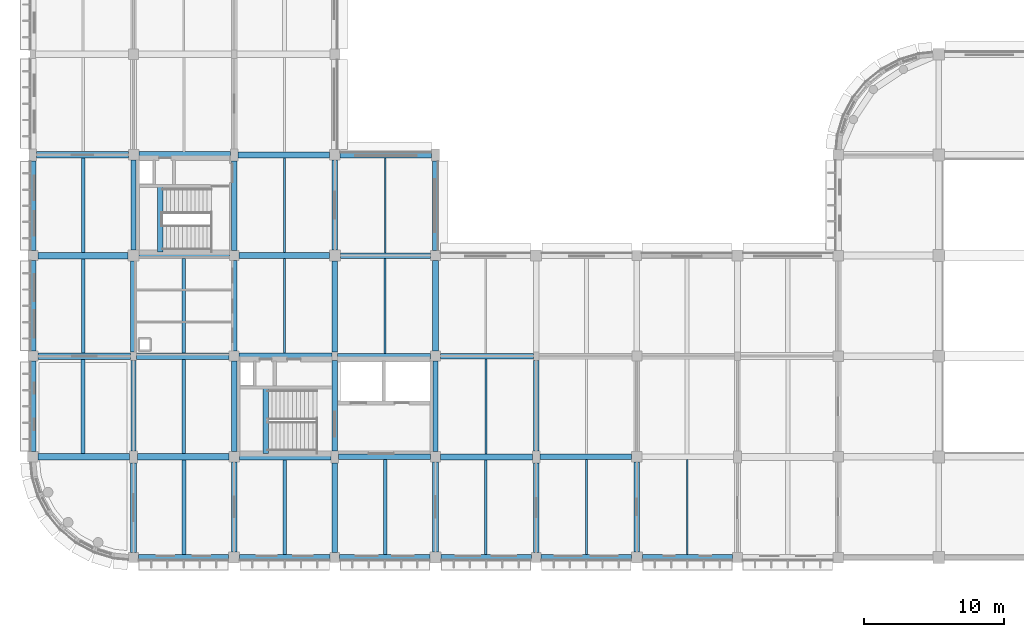
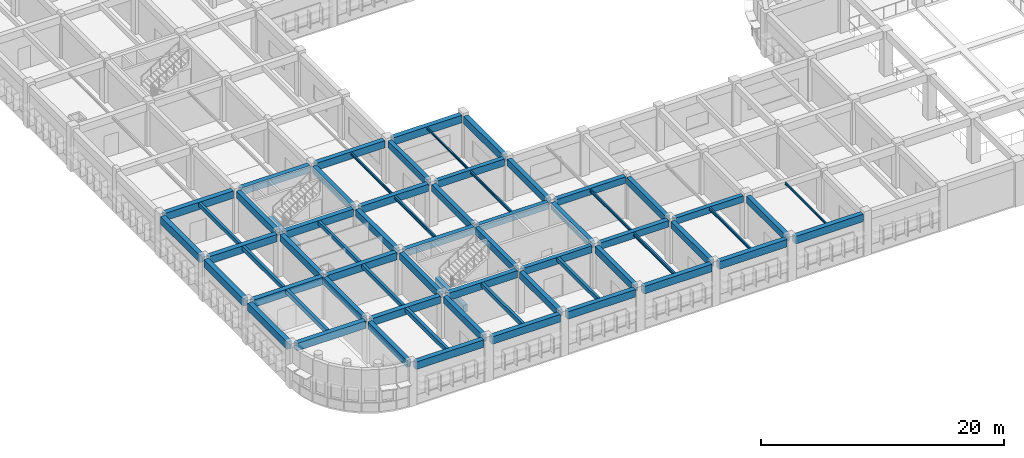
# One storey, part 3 of 61: 65 beams.
"""IFC4 building model written with IfcOpenShell, lengths in metres."""

from ifc_helpers import new_model, si_unit, direction, frame, origin, origin_2d, place, context, subcontext, project, spatial, rectangle, i_section, extrude, material, material_profile, profile_set, type_object, element, save


model = new_model("IFC4")

# Units and contexts
model_context = context("Model", 3, precision=1e-05, world=origin(), true_north=direction((0.0, 1.0)))
body_context = subcontext(model_context, "Body", "Model", "MODEL_VIEW")
ifc_project = project(units=[si_unit("LENGTHUNIT", "METRE"), si_unit("AREAUNIT", "SQUARE_METRE"), si_unit("VOLUMEUNIT", "CUBIC_METRE"), si_unit("PLANEANGLEUNIT", "RADIAN"), si_unit("MASSUNIT", "GRAM", prefix="KILO")], contexts=[model_context])

# Site, building, storey
site_placement = place(None, origin())
site = spatial("IfcSite", under=ifc_project, at=site_placement, CompositionType="ELEMENT")
building_placement = place(site_placement, origin())
building = spatial("IfcBuilding", under=site, at=building_placement, Name="Thalmaran Polytechnic", CompositionType="ELEMENT")
storey_placement = place(building_placement, frame((0.0, 0.0, 9.89990234375)))
storey = spatial("IfcBuildingStorey", under=building, at=storey_placement, Name="L02", CompositionType="ELEMENT", Elevation=9.89990234375)

# Beams
ifc_material_1 = material(Name="Concrete C40/50", Category="concrete")
ifc_material_profile_1 = material_profile(ifc_material_1, rectangle(XDim=0.449951171875, YDim=0.72509765625, at=origin_2d()), Name="RC 450x725")
ifc_profile_set_1 = profile_set([ifc_material_profile_1], Name="Concrete C40/50")
beam_type_1 = type_object("IfcBeamType", Name="BM-RC04", PredefinedType="BEAM", material=ifc_profile_set_1)
beam_1_placement = place(storey_placement, frame((7.47509765625, 7.199951171875, 3.862548828125), z_axis=(1.0, 0.0, 0.0), x_axis=(0.0, 1.0, 0.0)))
element("IfcBeam", 1, at=beam_1_placement, inside=storey, type_object=beam_type_1, Name="Grid Beam B04 L02 X(1,1)", PredefinedType="BEAM", context=body_context, shape_type="SweptSolid", body=[
    extrude(rectangle(XDim=0.449951171875, YDim=0.72509765625, at=origin_2d()), origin(), (0.0, 0.0, 1.0), 6.5498046875),
])
beam_2_placement = place(storey_placement, frame((7.39990234375, 14.39990234375, 3.862548828125), z_axis=(1.0, 0.0, 0.0), x_axis=(0.0, 1.0, 0.0)))
element("IfcBeam", 2, at=beam_2_placement, inside=storey, type_object=beam_type_1, Name="Grid Beam B04 L02 X(1,2)", PredefinedType="BEAM", context=body_context, shape_type="SweptSolid", body=[
    extrude(rectangle(XDim=0.449951171875, YDim=0.72509765625, at=origin_2d()), origin(), (0.0, 0.0, 1.0), 6.64013671875),
])
beam_3_placement = place(storey_placement, frame((7.590087890625, 21.60009765625, 3.862548828125), z_axis=(1.0, 0.0, 0.0), x_axis=(0.0, 1.0, 0.0)))
element("IfcBeam", 3, at=beam_3_placement, inside=storey, type_object=beam_type_1, Name="Grid Beam B04 L02 X(1,3)", PredefinedType="BEAM", context=body_context, shape_type="SweptSolid", body=[
    extrude(rectangle(XDim=0.449951171875, YDim=0.72509765625, at=origin_2d()), origin(), (0.0, 0.0, 1.0), 6.4599609375),
])
beam_4_placement = place(storey_placement, frame((7.574951171875, 28.800048828125, 3.862548828125), z_axis=(1.0, 0.0, 0.0), x_axis=(0.0, 1.0, 0.0)))
element("IfcBeam", 4, at=beam_4_placement, inside=storey, type_object=beam_type_1, Name="Grid Beam B04 L02 X(1,4)", PredefinedType="BEAM", context=body_context, shape_type="SweptSolid", body=[
    extrude(rectangle(XDim=0.449951171875, YDim=0.72509765625, at=origin_2d()), origin(), (0.0, 0.0, 1.0), 6.550048828125),
])
ifc_material_profile_2 = material_profile(ifc_material_1, rectangle(XDim=0.39990234375, YDim=0.699951171875, at=origin_2d()), Name="RC 400x700")
ifc_profile_set_2 = profile_set([ifc_material_profile_2], Name="Concrete C40/50")
beam_type_2 = type_object("IfcBeamType", Name="BM-RC05", PredefinedType="BEAM", material=ifc_profile_set_2)
beam_5_placement = place(storey_placement, frame((21.875, 7.199951171875, 3.875), z_axis=(1.0, 0.0, 0.0), x_axis=(0.0, 1.0, 0.0)))
element("IfcBeam", 5, at=beam_5_placement, inside=storey, type_object=beam_type_2, Name="Grid Beam B05 L02 X(3,1)", PredefinedType="BEAM", context=body_context, shape_type="SweptSolid", body=[
    extrude(rectangle(XDim=0.39990234375, YDim=0.699951171875, at=origin_2d()), origin(), (0.0, 0.0, 1.0), 6.550048828125),
])
beam_6_placement = place(storey_placement, frame((21.800048828125, 14.39990234375, 3.875), z_axis=(1.0, 0.0, 0.0), x_axis=(0.0, 1.0, 0.0)))
element("IfcBeam", 6, at=beam_6_placement, inside=storey, type_object=beam_type_2, Name="Grid Beam B05 L02 X(3,2)", PredefinedType="BEAM", context=body_context, shape_type="SweptSolid", body=[
    extrude(rectangle(XDim=0.39990234375, YDim=0.699951171875, at=origin_2d()), origin(), (0.0, 0.0, 1.0), 6.639892578125),
])
beam_7_placement = place(storey_placement, frame((21.989990234375, 21.60009765625, 3.875), z_axis=(1.0, 0.0, 0.0), x_axis=(0.0, 1.0, 0.0)))
element("IfcBeam", 7, at=beam_7_placement, inside=storey, type_object=beam_type_2, Name="Grid Beam B05 L02 X(3,3)", PredefinedType="BEAM", context=body_context, shape_type="SweptSolid", body=[
    extrude(rectangle(XDim=0.39990234375, YDim=0.699951171875, at=origin_2d()), origin(), (0.0, 0.0, 1.0), 6.4599609375),
])
ifc_material_profile_3 = material_profile(ifc_material_1, rectangle(XDim=0.39990234375, YDim=0.64990234375, at=origin_2d()), Name="RC 400x650")
ifc_profile_set_3 = profile_set([ifc_material_profile_3], Name="Concrete C40/50")
beam_type_3 = type_object("IfcBeamType", Name="BM-RC06", PredefinedType="BEAM", material=ifc_profile_set_3)
beam_8_placement = place(storey_placement, frame((36.27490234375, 7.199951171875, 3.89013671875), z_axis=(1.0, 0.0, 0.0), x_axis=(0.0, 1.0, 0.0)))
element("IfcBeam", 8, at=beam_8_placement, inside=storey, type_object=beam_type_3, Name="Grid Beam B06 L02 X(5,1)", PredefinedType="BEAM", context=body_context, shape_type="SweptSolid", body=[
    extrude(rectangle(XDim=0.39990234375, YDim=0.64990234375, at=origin_2d()), origin(), (0.0, 0.0, 1.0), 6.550048828125),
])
ifc_material_profile_4 = material_profile(ifc_material_1, rectangle(XDim=0.389892578125, YDim=0.68994140625, at=origin_2d()), Name="RC 390x690")
ifc_profile_set_4 = profile_set([ifc_material_profile_4], Name="Concrete C40/50")
beam_type_4 = type_object("IfcBeamType", Name="BM-RC09", PredefinedType="BEAM", material=ifc_profile_set_4)
beam_9_placement = place(storey_placement, frame((7.199951171875, 7.625, 3.880126953125), z_axis=(0.0, 1.0, 0.0), x_axis=(-1.0, 0.0, 0.0)))
element("IfcBeam", 9, at=beam_9_placement, inside=storey, type_object=beam_type_4, Name="Grid Beam B09 L02 Y(1,1)", PredefinedType="BEAM", context=body_context, shape_type="SweptSolid", body=[
    extrude(rectangle(XDim=0.389892578125, YDim=0.68994140625, at=origin_2d()), origin(), (0.0, 0.0, 1.0), 6.47509765625),
])
beam_10_placement = place(storey_placement, frame((14.39990234375, 7.574951171875, 3.880126953125), z_axis=(0.0, 1.0, 0.0), x_axis=(-1.0, 0.0, 0.0)))
element("IfcBeam", 10, at=beam_10_placement, inside=storey, type_object=beam_type_4, Name="Grid Beam B09 L02 Y(2,1)", PredefinedType="BEAM", context=body_context, shape_type="SweptSolid", body=[
    extrude(rectangle(XDim=0.389892578125, YDim=0.68994140625, at=origin_2d()), origin(), (0.0, 0.0, 1.0), 6.465087890625),
])
beam_11_placement = place(storey_placement, frame((21.60009765625, 7.625, 3.880126953125), z_axis=(0.0, 1.0, 0.0), x_axis=(-1.0, 0.0, 0.0)))
element("IfcBeam", 11, at=beam_11_placement, inside=storey, type_object=beam_type_4, Name="Grid Beam B09 L02 Y(3,1)", PredefinedType="BEAM", context=body_context, shape_type="SweptSolid", body=[
    extrude(rectangle(XDim=0.389892578125, YDim=0.68994140625, at=origin_2d()), origin(), (0.0, 0.0, 1.0), 6.47509765625),
])
beam_12_placement = place(storey_placement, frame((28.800048828125, 7.574951171875, 3.880126953125), z_axis=(0.0, 1.0, 0.0), x_axis=(-1.0, 0.0, 0.0)))
element("IfcBeam", 12, at=beam_12_placement, inside=storey, type_object=beam_type_4, Name="Grid Beam B09 L02 Y(4,1)", PredefinedType="BEAM", context=body_context, shape_type="SweptSolid", body=[
    extrude(rectangle(XDim=0.389892578125, YDim=0.68994140625, at=origin_2d()), origin(), (0.0, 0.0, 1.0), 6.465087890625),
])
beam_13_placement = place(storey_placement, frame((36.0, 7.625, 3.8701171875), z_axis=(0.0, 1.0, 0.0), x_axis=(-1.0, 0.0, 0.0)))
element("IfcBeam", 13, at=beam_13_placement, inside=storey, type_object=beam_type_4, Name="Grid Beam B09 L02 Y(5,1)", PredefinedType="BEAM", context=body_context, shape_type="SweptSolid", body=[
    extrude(rectangle(XDim=0.389892578125, YDim=0.68994140625, at=origin_2d()), origin(), (0.0, 0.0, 1.0), 6.47509765625),
])
ifc_material_profile_5 = material_profile(ifc_material_1, rectangle(XDim=0.389892578125, YDim=0.695068359375, at=origin_2d()), Name="RC 390x695")
ifc_profile_set_5 = profile_set([ifc_material_profile_5], Name="Concrete C40/50")
beam_type_5 = type_object("IfcBeamType", Name="BM-RC10", PredefinedType="BEAM", material=ifc_profile_set_5)
beam_14_placement = place(storey_placement, frame((7.199951171875, 21.989990234375, 3.877685546875), z_axis=(0.0, 1.0, 0.0), x_axis=(-1.0, 0.0, 0.0)))
element("IfcBeam", 14, at=beam_14_placement, inside=storey, type_object=beam_type_5, Name="Grid Beam B10 L02 Y(1,3)", PredefinedType="BEAM", context=body_context, shape_type="SweptSolid", body=[
    extrude(rectangle(XDim=0.389892578125, YDim=0.695068359375, at=origin_2d()), origin(), (0.0, 0.0, 1.0), 6.43505859375),
])
beam_15_placement = place(storey_placement, frame((14.39990234375, 21.949951171875, 3.877685546875), z_axis=(0.0, 1.0, 0.0), x_axis=(-1.0, 0.0, 0.0)))
element("IfcBeam", 15, at=beam_15_placement, inside=storey, type_object=beam_type_5, Name="Grid Beam B10 L02 Y(2,3)", PredefinedType="BEAM", context=body_context, shape_type="SweptSolid", body=[
    extrude(rectangle(XDim=0.389892578125, YDim=0.695068359375, at=origin_2d()), origin(), (0.0, 0.0, 1.0), 6.425048828125),
])
beam_16_placement = place(storey_placement, frame((21.60009765625, 21.989990234375, 3.877685546875), z_axis=(0.0, 1.0, 0.0), x_axis=(-1.0, 0.0, 0.0)))
element("IfcBeam", 16, at=beam_16_placement, inside=storey, type_object=beam_type_5, Name="Grid Beam B10 L02 Y(3,3)", PredefinedType="BEAM", context=body_context, shape_type="SweptSolid", body=[
    extrude(rectangle(XDim=0.389892578125, YDim=0.695068359375, at=origin_2d()), origin(), (0.0, 0.0, 1.0), 6.43505859375),
])
for number, where, z_axis, x_axis, name in (
    (17, (16.659912109375, 7.43994140625, 1.7900390625), (0.0, 1.0, 0.0), (-1.0, 0.0, 0.0), "ST1 L02 Half-Landing Trimmer Beam"),
    (18, (9.1201171875, 21.840087890625, 1.7900390625), (0.0, 1.0, 0.0), (-1.0, 0.0, 0.0), "ST3 L02 Half-Landing Trimmer Beam"),
):
    element("IfcBeam", number, at=place(storey_placement, frame(where, z_axis=z_axis, x_axis=x_axis)), inside=storey, type_object=beam_type_5, Name=name, PredefinedType="BEAM", context=body_context, shape_type="SweptSolid", body=[
        extrude(rectangle(XDim=0.389892578125, YDim=0.695068359375, at=origin_2d()), origin(), (0.0, 0.0, 1.0), 4.699951171875),
    ])
ifc_material_profile_6 = material_profile(ifc_material_1, rectangle(XDim=0.280029296875, YDim=0.449951171875, at=origin_2d()), Name="RC 280x450")
ifc_profile_set_6 = profile_set([ifc_material_profile_6], Name="Concrete C40/50")
beam_type_6 = type_object("IfcBeamType", Name="BM-RC13", PredefinedType="JOIST", material=ifc_profile_set_6)
beam_17_placement = place(storey_placement, frame((3.60009765625, 7.429931640625, 4.0), z_axis=(0.0, 1.0, 0.0), x_axis=(-1.0, 0.0, 0.0)))
element("IfcBeam", 19, at=beam_17_placement, inside=storey, type_object=beam_type_6, Name="Secondary Floor Rib RB03 L02 (0,1)", PredefinedType="JOIST", context=body_context, shape_type="SweptSolid", body=[
    extrude(rectangle(XDim=0.280029296875, YDim=0.449951171875, at=origin_2d()), origin(), (0.0, 0.0, 1.0), 6.739990234375),
])
beam_18_placement = place(storey_placement, frame((10.800048828125, 0.22509765625, 4.0), z_axis=(0.0, 1.0, 0.0), x_axis=(-1.0, 0.0, 0.0)))
element("IfcBeam", 20, at=beam_18_placement, inside=storey, type_object=beam_type_6, Name="Secondary Floor Rib RB03 L02 (1,0)", PredefinedType="JOIST", context=body_context, shape_type="SweptSolid", body=[
    extrude(rectangle(XDim=0.280029296875, YDim=0.449951171875, at=origin_2d()), origin(), (0.0, 0.0, 1.0), 6.75),
])
ifc_material_2 = material(Name="Steel S355", Category="steel")
ifc_material_profile_7 = material_profile(ifc_material_2, i_section(OverallWidth=0.159912109375, OverallDepth=0.330078125, WebThickness=0.007568359375, FlangeThickness=0.011474609375, at=origin_2d()), Name="IPE 330")
ifc_profile_set_7 = profile_set([ifc_material_profile_7], Name="Steel S355")
beam_type_7 = type_object("IfcBeamType", Name="BM-SJ02", PredefinedType="JOIST", material=ifc_profile_set_7)
beam_19_placement = place(storey_placement, frame((18.0, 14.6201171875, 4.06005859375), z_axis=(0.0, 1.0, 0.0), x_axis=(-1.0, 0.0, 0.0)))
element("IfcBeam", 21, at=beam_19_placement, inside=storey, type_object=beam_type_7, Name="Secondary Floor Rib SJ02 L02 (2,2)", PredefinedType="JOIST", context=body_context, shape_type="SweptSolid", body=[
    extrude(i_section(OverallWidth=0.159912109375, OverallDepth=0.330078125, WebThickness=0.007568359375, FlangeThickness=0.011474609375, at=origin_2d()), origin(), (0.0, 0.0, 1.0), 6.759765625),
])
beam_20_placement = place(storey_placement, frame((32.39990234375, 0.22509765625, 4.06005859375), z_axis=(0.0, 1.0, 0.0), x_axis=(-1.0, 0.0, 0.0)))
element("IfcBeam", 22, at=beam_20_placement, inside=storey, type_object=beam_type_7, Name="Secondary Floor Rib SJ02 L02 (4,0)", PredefinedType="JOIST", context=body_context, shape_type="SweptSolid", body=[
    extrude(i_section(OverallWidth=0.159912109375, OverallDepth=0.330078125, WebThickness=0.007568359375, FlangeThickness=0.011474609375, at=origin_2d()), origin(), (0.0, 0.0, 1.0), 6.764892578125),
])
ifc_material_profile_8 = material_profile(ifc_material_2, i_section(OverallWidth=0.135009765625, OverallDepth=0.27001953125, WebThickness=0.006591796875, FlangeThickness=0.01025390625, at=origin_2d()), Name="IPE 270")
ifc_profile_set_8 = profile_set([ifc_material_profile_8], Name="Steel S355")
beam_type_8 = type_object("IfcBeamType", Name="BM-SJ03", PredefinedType="JOIST", material=ifc_profile_set_8)
beam_21_placement = place(storey_placement, frame((18.0, 21.820068359375, 4.090087890625), z_axis=(0.0, 1.0, 0.0), x_axis=(-1.0, 0.0, 0.0)))
element("IfcBeam", 23, at=beam_21_placement, inside=storey, type_object=beam_type_8, Name="Secondary Floor Rib SJ03 L02 (2,3)", PredefinedType="JOIST", context=body_context, shape_type="SweptSolid", body=[
    extrude(i_section(OverallWidth=0.135009765625, OverallDepth=0.27001953125, WebThickness=0.006591796875, FlangeThickness=0.01025390625, at=origin_2d()), origin(), (0.0, 0.0, 1.0), 6.760009765625),
])
beam_22_placement = place(storey_placement, frame((25.199951171875, 14.60009765625, 4.090087890625), z_axis=(0.0, 1.0, 0.0), x_axis=(-1.0, 0.0, 0.0)))
element("IfcBeam", 24, at=beam_22_placement, inside=storey, type_object=beam_type_8, Name="Secondary Floor Rib SJ03 L02 (3,2)", PredefinedType="JOIST", context=body_context, shape_type="SweptSolid", body=[
    extrude(i_section(OverallWidth=0.135009765625, OverallDepth=0.27001953125, WebThickness=0.006591796875, FlangeThickness=0.01025390625, at=origin_2d()), origin(), (0.0, 0.0, 1.0), 6.7998046875),
])
beam_23_placement = place(storey_placement, frame((32.39990234375, 7.409912109375, 4.090087890625), z_axis=(0.0, 1.0, 0.0), x_axis=(-1.0, 0.0, 0.0)))
element("IfcBeam", 25, at=beam_23_placement, inside=storey, type_object=beam_type_8, Name="Secondary Floor Rib SJ03 L02 (4,1)", PredefinedType="JOIST", context=body_context, shape_type="SweptSolid", body=[
    extrude(i_section(OverallWidth=0.135009765625, OverallDepth=0.27001953125, WebThickness=0.006591796875, FlangeThickness=0.01025390625, at=origin_2d()), origin(), (0.0, 0.0, 1.0), 6.780029296875),
])
beam_24_placement = place(storey_placement, frame((39.60009765625, 0.22509765625, 4.080078125), z_axis=(0.0, 1.0, 0.0), x_axis=(-1.0, 0.0, 0.0)))
element("IfcBeam", 26, at=beam_24_placement, inside=storey, type_object=beam_type_8, Name="Secondary Floor Rib SJ03 L02 (5,0)", PredefinedType="JOIST", context=body_context, shape_type="SweptSolid", body=[
    extrude(i_section(OverallWidth=0.135009765625, OverallDepth=0.27001953125, WebThickness=0.006591796875, FlangeThickness=0.01025390625, at=origin_2d()), origin(), (0.0, 0.0, 1.0), 6.77490234375),
])
ifc_material_profile_9 = material_profile(ifc_material_2, i_section(OverallWidth=0.110107421875, OverallDepth=0.219970703125, WebThickness=0.005859375, FlangeThickness=0.00927734375, at=origin_2d()), Name="IPE 220")
ifc_profile_set_9 = profile_set([ifc_material_profile_9], Name="Steel S355")
beam_type_9 = type_object("IfcBeamType", Name="BM-SJ04", PredefinedType="JOIST", material=ifc_profile_set_9)
beam_25_placement = place(storey_placement, frame((25.199951171875, 21.800048828125, 4.114990234375), z_axis=(0.0, 1.0, 0.0), x_axis=(-1.0, 0.0, 0.0)))
element("IfcBeam", 27, at=beam_25_placement, inside=storey, type_object=beam_type_9, Name="Secondary Floor Rib SJ04 L02 (3,3)", PredefinedType="JOIST", context=body_context, shape_type="SweptSolid", body=[
    extrude(i_section(OverallWidth=0.110107421875, OverallDepth=0.219970703125, WebThickness=0.005859375, FlangeThickness=0.00927734375, at=origin_2d()), origin(), (0.0, 0.0, 1.0), 6.77490234375),
])
beam_26_placement = place(storey_placement, frame((46.800048828125, 0.22509765625, 4.10498046875), z_axis=(0.0, 1.0, 0.0), x_axis=(-1.0, 0.0, 0.0)))
element("IfcBeam", 28, at=beam_26_placement, inside=storey, type_object=beam_type_9, Name="Secondary Floor Rib SJ04 L02 (6,0)", PredefinedType="JOIST", context=body_context, shape_type="SweptSolid", body=[
    extrude(i_section(OverallWidth=0.110107421875, OverallDepth=0.219970703125, WebThickness=0.005859375, FlangeThickness=0.00927734375, at=origin_2d()), origin(), (0.0, 0.0, 1.0), 6.784912109375),
])
ifc_material_profile_10 = material_profile(ifc_material_1, rectangle(XDim=0.449951171875, YDim=0.7548828125, at=origin_2d()), Name="RC 450x755")
ifc_profile_set_10 = profile_set([ifc_material_profile_10], Name="Concrete C40/50")
beam_type_10 = type_object("IfcBeamType", Name="BM-SP02", PredefinedType="SPANDREL", material=ifc_profile_set_10)
for number, where, z_axis, x_axis, name in (
    (29, (7.550048828125, 0.0, 3.84765625), (1.0, 0.0, 0.0), (0.0, 1.0, 0.0), "Grid Beam SP02 L02 X(1,0)"),
    (30, (14.7900390625, 0.0, 3.84765625), (1.0, 0.0, 0.0), (0.0, 1.0, 0.0), "Grid Beam SP02 L02 X(2,0)"),
    (31, (21.949951171875, 0.0, 3.84765625), (1.0, 0.0, 0.0), (0.0, 1.0, 0.0), "Grid Beam SP02 L02 X(3,0)"),
):
    element("IfcBeam", number, at=place(storey_placement, frame(where, z_axis=z_axis, x_axis=x_axis)), inside=storey, type_object=beam_type_10, Name=name, PredefinedType="SPANDREL", context=body_context, shape_type="SweptSolid", body=[
        extrude(rectangle(XDim=0.449951171875, YDim=0.7548828125, at=origin_2d()), origin(), (0.0, 0.0, 1.0), 6.4599609375),
    ])
beam_27_placement = place(storey_placement, frame((21.97509765625, 28.800048828125, 3.84765625), z_axis=(1.0, 0.0, 0.0), x_axis=(0.0, 1.0, 0.0)))
element("IfcBeam", 32, at=beam_27_placement, inside=storey, type_object=beam_type_10, Name="Grid Beam SP02 L02 X(3,4)", PredefinedType="SPANDREL", context=body_context, shape_type="SweptSolid", body=[
    extrude(rectangle(XDim=0.449951171875, YDim=0.7548828125, at=origin_2d()), origin(), (0.0, 0.0, 1.0), 6.5498046875),
])
for number, where, z_axis, x_axis, name in (
    (33, (29.18994140625, 0.0, 3.84765625), (1.0, 0.0, 0.0), (0.0, 1.0, 0.0), "Grid Beam SP02 L02 X(4,0)"),
    (34, (36.35009765625, 0.0, 3.837646484375), (1.0, 0.0, 0.0), (0.0, 1.0, 0.0), "Grid Beam SP02 L02 X(5,0)"),
    (35, (43.590087890625, 0.0, 3.837646484375), (1.0, 0.0, 0.0), (0.0, 1.0, 0.0), "Grid Beam SP02 L02 X(6,0)"),
):
    element("IfcBeam", number, at=place(storey_placement, frame(where, z_axis=z_axis, x_axis=x_axis)), inside=storey, type_object=beam_type_10, Name=name, PredefinedType="SPANDREL", context=body_context, shape_type="SweptSolid", body=[
        extrude(rectangle(XDim=0.449951171875, YDim=0.7548828125, at=origin_2d()), origin(), (0.0, 0.0, 1.0), 6.4599609375),
    ])
beam_28_placement = place(storey_placement, frame((0.0, 7.574951171875, 3.84765625), z_axis=(0.0, 1.0, 0.0), x_axis=(-1.0, 0.0, 0.0)))
element("IfcBeam", 36, at=beam_28_placement, inside=storey, type_object=beam_type_10, Name="Grid Beam SP02 L02 Y(0,1)", PredefinedType="SPANDREL", context=body_context, shape_type="SweptSolid", body=[
    extrude(rectangle(XDim=0.449951171875, YDim=0.7548828125, at=origin_2d()), origin(), (0.0, 0.0, 1.0), 6.465087890625),
])
beam_29_placement = place(storey_placement, frame((0.0, 14.760009765625, 3.84765625), z_axis=(0.0, 1.0, 0.0), x_axis=(-1.0, 0.0, 0.0)))
element("IfcBeam", 37, at=beam_29_placement, inside=storey, type_object=beam_type_10, Name="Grid Beam SP02 L02 Y(0,2)", PredefinedType="SPANDREL", context=body_context, shape_type="SweptSolid", body=[
    extrude(rectangle(XDim=0.449951171875, YDim=0.7548828125, at=origin_2d()), origin(), (0.0, 0.0, 1.0), 6.489990234375),
])
for number, where, z_axis, x_axis, name in (
    (38, (0.0, 21.949951171875, 3.84765625), (0.0, 1.0, 0.0), (-1.0, 0.0, 0.0), "Grid Beam SP02 L02 Y(0,3)"),
    (39, (28.800048828125, 21.949951171875, 3.84765625), (0.0, 1.0, 0.0), (-1.0, 0.0, 0.0), "Grid Beam SP02 L02 Y(4,3)"),
):
    element("IfcBeam", number, at=place(storey_placement, frame(where, z_axis=z_axis, x_axis=x_axis)), inside=storey, type_object=beam_type_10, Name=name, PredefinedType="SPANDREL", context=body_context, shape_type="SweptSolid", body=[
        extrude(rectangle(XDim=0.449951171875, YDim=0.7548828125, at=origin_2d()), origin(), (0.0, 0.0, 1.0), 6.425048828125),
    ])
ifc_material_profile_11 = material_profile(ifc_material_1, rectangle(XDim=0.4599609375, YDim=0.739990234375, at=origin_2d()), Name="RC 460x740")
ifc_profile_set_11 = profile_set([ifc_material_profile_11], Name="Concrete C40/50")
beam_type_11 = type_object("IfcBeamType", Name="BM-ZB02", PredefinedType="BEAM", material=ifc_profile_set_11)
beam_30_placement = place(storey_placement, frame((0.375, 7.199951171875, 3.85498046875), z_axis=(1.0, 0.0, 0.0), x_axis=(0.0, 1.0, 0.0)))
element("IfcBeam", 40, at=beam_30_placement, inside=storey, type_object=beam_type_11, Name="Grid Beam ZB02 L02 X(0,1)", PredefinedType="BEAM", context=body_context, shape_type="SweptSolid", body=[
    extrude(rectangle(XDim=0.4599609375, YDim=0.739990234375, at=origin_2d()), origin(), (0.0, 0.0, 1.0), 6.550048828125),
])
beam_31_placement = place(storey_placement, frame((0.360107421875, 14.39990234375, 3.85498046875), z_axis=(1.0, 0.0, 0.0), x_axis=(0.0, 1.0, 0.0)))
element("IfcBeam", 41, at=beam_31_placement, inside=storey, type_object=beam_type_11, Name="Grid Beam ZB02 L02 X(0,2)", PredefinedType="BEAM", context=body_context, shape_type="SweptSolid", body=[
    extrude(rectangle(XDim=0.4599609375, YDim=0.739990234375, at=origin_2d()), origin(), (0.0, 0.0, 1.0), 6.639892578125),
])
beam_32_placement = place(storey_placement, frame((0.35009765625, 21.60009765625, 3.85498046875), z_axis=(1.0, 0.0, 0.0), x_axis=(0.0, 1.0, 0.0)))
element("IfcBeam", 42, at=beam_32_placement, inside=storey, type_object=beam_type_11, Name="Grid Beam ZB02 L02 X(0,3)", PredefinedType="BEAM", context=body_context, shape_type="SweptSolid", body=[
    extrude(rectangle(XDim=0.4599609375, YDim=0.739990234375, at=origin_2d()), origin(), (0.0, 0.0, 1.0), 6.4599609375),
])
beam_33_placement = place(storey_placement, frame((0.27490234375, 28.800048828125, 3.85498046875), z_axis=(1.0, 0.0, 0.0), x_axis=(0.0, 1.0, 0.0)))
element("IfcBeam", 43, at=beam_33_placement, inside=storey, type_object=beam_type_11, Name="Grid Beam ZB02 L02 X(0,4)", PredefinedType="BEAM", context=body_context, shape_type="SweptSolid", body=[
    extrude(rectangle(XDim=0.4599609375, YDim=0.739990234375, at=origin_2d()), origin(), (0.0, 0.0, 1.0), 6.550048828125),
])
ifc_material_profile_12 = material_profile(ifc_material_1, rectangle(XDim=0.43994140625, YDim=0.719970703125, at=origin_2d()), Name="RC 440x720")
ifc_profile_set_12 = profile_set([ifc_material_profile_12], Name="Concrete C40/50")
beam_type_12 = type_object("IfcBeamType", Name="BM-ZB03", PredefinedType="BEAM", material=ifc_profile_set_12)
beam_34_placement = place(storey_placement, frame((14.77490234375, 7.199951171875, 3.864990234375), z_axis=(1.0, 0.0, 0.0), x_axis=(0.0, 1.0, 0.0)))
element("IfcBeam", 44, at=beam_34_placement, inside=storey, type_object=beam_type_12, Name="Grid Beam ZB03 L02 X(2,1)", PredefinedType="BEAM", context=body_context, shape_type="SweptSolid", body=[
    extrude(rectangle(XDim=0.43994140625, YDim=0.719970703125, at=origin_2d()), origin(), (0.0, 0.0, 1.0), 6.550048828125),
])
beam_35_placement = place(storey_placement, frame((14.760009765625, 14.39990234375, 3.864990234375), z_axis=(1.0, 0.0, 0.0), x_axis=(0.0, 1.0, 0.0)))
element("IfcBeam", 45, at=beam_35_placement, inside=storey, type_object=beam_type_12, Name="Grid Beam ZB03 L02 X(2,2)", PredefinedType="BEAM", context=body_context, shape_type="SweptSolid", body=[
    extrude(rectangle(XDim=0.43994140625, YDim=0.719970703125, at=origin_2d()), origin(), (0.0, 0.0, 1.0), 6.639892578125),
])
beam_36_placement = place(storey_placement, frame((14.75, 21.60009765625, 3.864990234375), z_axis=(1.0, 0.0, 0.0), x_axis=(0.0, 1.0, 0.0)))
element("IfcBeam", 46, at=beam_36_placement, inside=storey, type_object=beam_type_12, Name="Grid Beam ZB03 L02 X(2,3)", PredefinedType="BEAM", context=body_context, shape_type="SweptSolid", body=[
    extrude(rectangle(XDim=0.43994140625, YDim=0.719970703125, at=origin_2d()), origin(), (0.0, 0.0, 1.0), 6.4599609375),
])
beam_37_placement = place(storey_placement, frame((14.675048828125, 28.800048828125, 3.864990234375), z_axis=(1.0, 0.0, 0.0), x_axis=(0.0, 1.0, 0.0)))
element("IfcBeam", 47, at=beam_37_placement, inside=storey, type_object=beam_type_12, Name="Grid Beam ZB03 L02 X(2,4)", PredefinedType="BEAM", context=body_context, shape_type="SweptSolid", body=[
    extrude(rectangle(XDim=0.43994140625, YDim=0.719970703125, at=origin_2d()), origin(), (0.0, 0.0, 1.0), 6.550048828125),
])
ifc_material_profile_13 = material_profile(ifc_material_1, rectangle(XDim=0.419921875, YDim=0.659912109375, at=origin_2d()), Name="RC 420x660")
ifc_profile_set_13 = profile_set([ifc_material_profile_13], Name="Concrete C40/50")
beam_type_13 = type_object("IfcBeamType", Name="BM-ZB04", PredefinedType="BEAM", material=ifc_profile_set_13)
beam_38_placement = place(storey_placement, frame((29.175048828125, 7.199951171875, 3.89501953125), z_axis=(1.0, 0.0, 0.0), x_axis=(0.0, 1.0, 0.0)))
element("IfcBeam", 48, at=beam_38_placement, inside=storey, type_object=beam_type_13, Name="Grid Beam ZB04 L02 X(4,1)", PredefinedType="BEAM", context=body_context, shape_type="SweptSolid", body=[
    extrude(rectangle(XDim=0.419921875, YDim=0.659912109375, at=origin_2d()), origin(), (0.0, 0.0, 1.0), 6.550048828125),
])
beam_39_placement = place(storey_placement, frame((29.159912109375, 14.39990234375, 3.89501953125), z_axis=(1.0, 0.0, 0.0), x_axis=(0.0, 1.0, 0.0)))
element("IfcBeam", 49, at=beam_39_placement, inside=storey, type_object=beam_type_13, Name="Grid Beam ZB04 L02 X(4,2)", PredefinedType="BEAM", context=body_context, shape_type="SweptSolid", body=[
    extrude(rectangle(XDim=0.419921875, YDim=0.659912109375, at=origin_2d()), origin(), (0.0, 0.0, 1.0), 6.64013671875),
])
ifc_material_profile_14 = material_profile(ifc_material_1, rectangle(XDim=0.39990234375, YDim=0.68505859375, at=origin_2d()), Name="RC 400x685")
ifc_profile_set_14 = profile_set([ifc_material_profile_14], Name="Concrete C40/50")
beam_type_14 = type_object("IfcBeamType", Name="BM-ZB07", PredefinedType="BEAM", material=ifc_profile_set_14)
beam_40_placement = place(storey_placement, frame((7.199951171875, 0.35009765625, 3.882568359375), z_axis=(0.0, 1.0, 0.0), x_axis=(-1.0, 0.0, 0.0)))
element("IfcBeam", 50, at=beam_40_placement, inside=storey, type_object=beam_type_14, Name="Grid Beam ZB07 L02 Y(1,0)", PredefinedType="BEAM", context=body_context, shape_type="SweptSolid", body=[
    extrude(rectangle(XDim=0.39990234375, YDim=0.68505859375, at=origin_2d()), origin(), (0.0, 0.0, 1.0), 6.4248046875),
])
beam_41_placement = place(storey_placement, frame((14.39990234375, 0.389892578125, 3.882568359375), z_axis=(0.0, 1.0, 0.0), x_axis=(-1.0, 0.0, 0.0)))
element("IfcBeam", 51, at=beam_41_placement, inside=storey, type_object=beam_type_14, Name="Grid Beam ZB07 L02 Y(2,0)", PredefinedType="BEAM", context=body_context, shape_type="SweptSolid", body=[
    extrude(rectangle(XDim=0.39990234375, YDim=0.68505859375, at=origin_2d()), origin(), (0.0, 0.0, 1.0), 6.43505859375),
])
beam_42_placement = place(storey_placement, frame((21.60009765625, 0.35009765625, 3.882568359375), z_axis=(0.0, 1.0, 0.0), x_axis=(-1.0, 0.0, 0.0)))
element("IfcBeam", 52, at=beam_42_placement, inside=storey, type_object=beam_type_14, Name="Grid Beam ZB07 L02 Y(3,0)", PredefinedType="BEAM", context=body_context, shape_type="SweptSolid", body=[
    extrude(rectangle(XDim=0.39990234375, YDim=0.68505859375, at=origin_2d()), origin(), (0.0, 0.0, 1.0), 6.4248046875),
])
beam_43_placement = place(storey_placement, frame((28.800048828125, 0.389892578125, 3.882568359375), z_axis=(0.0, 1.0, 0.0), x_axis=(-1.0, 0.0, 0.0)))
element("IfcBeam", 53, at=beam_43_placement, inside=storey, type_object=beam_type_14, Name="Grid Beam ZB07 L02 Y(4,0)", PredefinedType="BEAM", context=body_context, shape_type="SweptSolid", body=[
    extrude(rectangle(XDim=0.39990234375, YDim=0.68505859375, at=origin_2d()), origin(), (0.0, 0.0, 1.0), 6.43505859375),
])
beam_44_placement = place(storey_placement, frame((36.0, 0.35009765625, 3.87255859375), z_axis=(0.0, 1.0, 0.0), x_axis=(-1.0, 0.0, 0.0)))
element("IfcBeam", 54, at=beam_44_placement, inside=storey, type_object=beam_type_14, Name="Grid Beam ZB07 L02 Y(5,0)", PredefinedType="BEAM", context=body_context, shape_type="SweptSolid", body=[
    extrude(rectangle(XDim=0.39990234375, YDim=0.68505859375, at=origin_2d()), origin(), (0.0, 0.0, 1.0), 6.4248046875),
])
beam_45_placement = place(storey_placement, frame((43.199951171875, 0.389892578125, 3.87255859375), z_axis=(0.0, 1.0, 0.0), x_axis=(-1.0, 0.0, 0.0)))
element("IfcBeam", 55, at=beam_45_placement, inside=storey, type_object=beam_type_14, Name="Grid Beam ZB07 L02 Y(6,0)", PredefinedType="BEAM", context=body_context, shape_type="SweptSolid", body=[
    extrude(rectangle(XDim=0.39990234375, YDim=0.68505859375, at=origin_2d()), origin(), (0.0, 0.0, 1.0), 6.43505859375),
])
ifc_material_profile_15 = material_profile(ifc_material_1, rectangle(XDim=0.39990234375, YDim=0.695068359375, at=origin_2d()), Name="RC 400x695")
ifc_profile_set_15 = profile_set([ifc_material_profile_15], Name="Concrete C40/50")
beam_type_15 = type_object("IfcBeamType", Name="BM-ZB08", PredefinedType="BEAM", material=ifc_profile_set_15)
beam_46_placement = place(storey_placement, frame((7.199951171875, 14.699951171875, 3.877685546875), z_axis=(0.0, 1.0, 0.0), x_axis=(-1.0, 0.0, 0.0)))
element("IfcBeam", 56, at=beam_46_placement, inside=storey, type_object=beam_type_15, Name="Grid Beam ZB08 L02 Y(1,2)", PredefinedType="BEAM", context=body_context, shape_type="SweptSolid", body=[
    extrude(rectangle(XDim=0.39990234375, YDim=0.695068359375, at=origin_2d()), origin(), (0.0, 0.0, 1.0), 6.510009765625),
])
beam_47_placement = place(storey_placement, frame((14.39990234375, 14.760009765625, 3.877685546875), z_axis=(0.0, 1.0, 0.0), x_axis=(-1.0, 0.0, 0.0)))
element("IfcBeam", 57, at=beam_47_placement, inside=storey, type_object=beam_type_15, Name="Grid Beam ZB08 L02 Y(2,2)", PredefinedType="BEAM", context=body_context, shape_type="SweptSolid", body=[
    extrude(rectangle(XDim=0.39990234375, YDim=0.695068359375, at=origin_2d()), origin(), (0.0, 0.0, 1.0), 6.489990234375),
])
beam_48_placement = place(storey_placement, frame((21.60009765625, 14.699951171875, 3.877685546875), z_axis=(0.0, 1.0, 0.0), x_axis=(-1.0, 0.0, 0.0)))
element("IfcBeam", 58, at=beam_48_placement, inside=storey, type_object=beam_type_15, Name="Grid Beam ZB08 L02 Y(3,2)", PredefinedType="BEAM", context=body_context, shape_type="SweptSolid", body=[
    extrude(rectangle(XDim=0.39990234375, YDim=0.695068359375, at=origin_2d()), origin(), (0.0, 0.0, 1.0), 6.510009765625),
])
beam_49_placement = place(storey_placement, frame((28.800048828125, 14.760009765625, 3.877685546875), z_axis=(0.0, 1.0, 0.0), x_axis=(-1.0, 0.0, 0.0)))
element("IfcBeam", 59, at=beam_49_placement, inside=storey, type_object=beam_type_15, Name="Grid Beam ZB08 L02 Y(4,2)", PredefinedType="BEAM", context=body_context, shape_type="SweptSolid", body=[
    extrude(rectangle(XDim=0.39990234375, YDim=0.695068359375, at=origin_2d()), origin(), (0.0, 0.0, 1.0), 6.489990234375),
])
ifc_material_profile_16 = material_profile(ifc_material_1, rectangle(XDim=0.25, YDim=0.419921875, at=origin_2d()), Name="RC 250x420")
ifc_profile_set_16 = profile_set([ifc_material_profile_16], Name="Concrete C40/50")
beam_type_16 = type_object("IfcBeamType", Name="BM-ZJ03", PredefinedType="JOIST", material=ifc_profile_set_16)
beam_50_placement = place(storey_placement, frame((3.60009765625, 14.6298828125, 4.01513671875), z_axis=(0.0, 1.0, 0.0), x_axis=(-1.0, 0.0, 0.0)))
element("IfcBeam", 60, at=beam_50_placement, inside=storey, type_object=beam_type_16, Name="Secondary Floor Rib ZJ03 L02 (0,2)", PredefinedType="JOIST", context=body_context, shape_type="SweptSolid", body=[
    extrude(rectangle(XDim=0.25, YDim=0.419921875, at=origin_2d()), origin(), (0.0, 0.0, 1.0), 6.740234375),
])
beam_51_placement = place(storey_placement, frame((10.800048828125, 7.425048828125, 4.01513671875), z_axis=(0.0, 1.0, 0.0), x_axis=(-1.0, 0.0, 0.0)))
element("IfcBeam", 61, at=beam_51_placement, inside=storey, type_object=beam_type_16, Name="Secondary Floor Rib ZJ03 L02 (1,1)", PredefinedType="JOIST", context=body_context, shape_type="SweptSolid", body=[
    extrude(rectangle(XDim=0.25, YDim=0.419921875, at=origin_2d()), origin(), (0.0, 0.0, 1.0), 6.75),
])
beam_52_placement = place(storey_placement, frame((18.0, 0.22509765625, 4.01513671875), z_axis=(0.0, 1.0, 0.0), x_axis=(-1.0, 0.0, 0.0)))
element("IfcBeam", 62, at=beam_52_placement, inside=storey, type_object=beam_type_16, Name="Secondary Floor Rib ZJ03 L02 (2,0)", PredefinedType="JOIST", context=body_context, shape_type="SweptSolid", body=[
    extrude(rectangle(XDim=0.25, YDim=0.419921875, at=origin_2d()), origin(), (0.0, 0.0, 1.0), 6.7548828125),
])
ifc_material_profile_17 = material_profile(ifc_material_1, rectangle(XDim=0.239990234375, YDim=0.39990234375, at=origin_2d()), Name="RC 240x400")
ifc_profile_set_17 = profile_set([ifc_material_profile_17], Name="Concrete C40/50")
beam_type_17 = type_object("IfcBeamType", Name="BM-ZJ04", PredefinedType="JOIST", material=ifc_profile_set_17)
beam_53_placement = place(storey_placement, frame((3.60009765625, 21.830078125, 4.025146484375), z_axis=(0.0, 1.0, 0.0), x_axis=(-1.0, 0.0, 0.0)))
element("IfcBeam", 63, at=beam_53_placement, inside=storey, type_object=beam_type_17, Name="Secondary Floor Rib ZJ04 L02 (0,3)", PredefinedType="JOIST", context=body_context, shape_type="SweptSolid", body=[
    extrude(rectangle(XDim=0.239990234375, YDim=0.39990234375, at=origin_2d()), origin(), (0.0, 0.0, 1.0), 6.739990234375),
])
beam_54_placement = place(storey_placement, frame((10.800048828125, 14.625, 4.025146484375), z_axis=(0.0, 1.0, 0.0), x_axis=(-1.0, 0.0, 0.0)))
element("IfcBeam", 64, at=beam_54_placement, inside=storey, type_object=beam_type_17, Name="Secondary Floor Rib ZJ04 L02 (1,2)", PredefinedType="JOIST", context=body_context, shape_type="SweptSolid", body=[
    extrude(rectangle(XDim=0.239990234375, YDim=0.39990234375, at=origin_2d()), origin(), (0.0, 0.0, 1.0), 6.75),
])
beam_55_placement = place(storey_placement, frame((25.199951171875, 0.22509765625, 4.025146484375), z_axis=(0.0, 1.0, 0.0), x_axis=(-1.0, 0.0, 0.0)))
element("IfcBeam", 65, at=beam_55_placement, inside=storey, type_object=beam_type_17, Name="Secondary Floor Rib ZJ04 L02 (3,0)", PredefinedType="JOIST", context=body_context, shape_type="SweptSolid", body=[
    extrude(rectangle(XDim=0.239990234375, YDim=0.39990234375, at=origin_2d()), origin(), (0.0, 0.0, 1.0), 6.77490234375),
])

save(model, "model.ifc")
